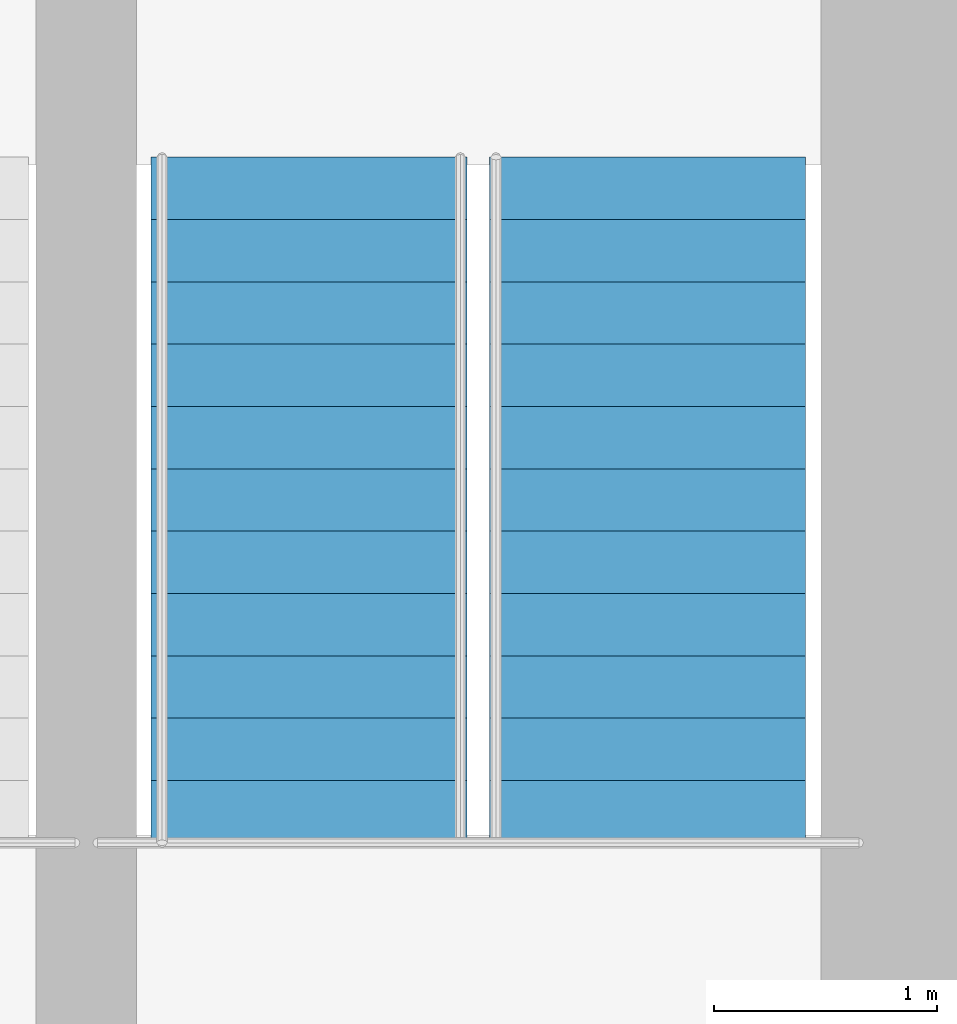
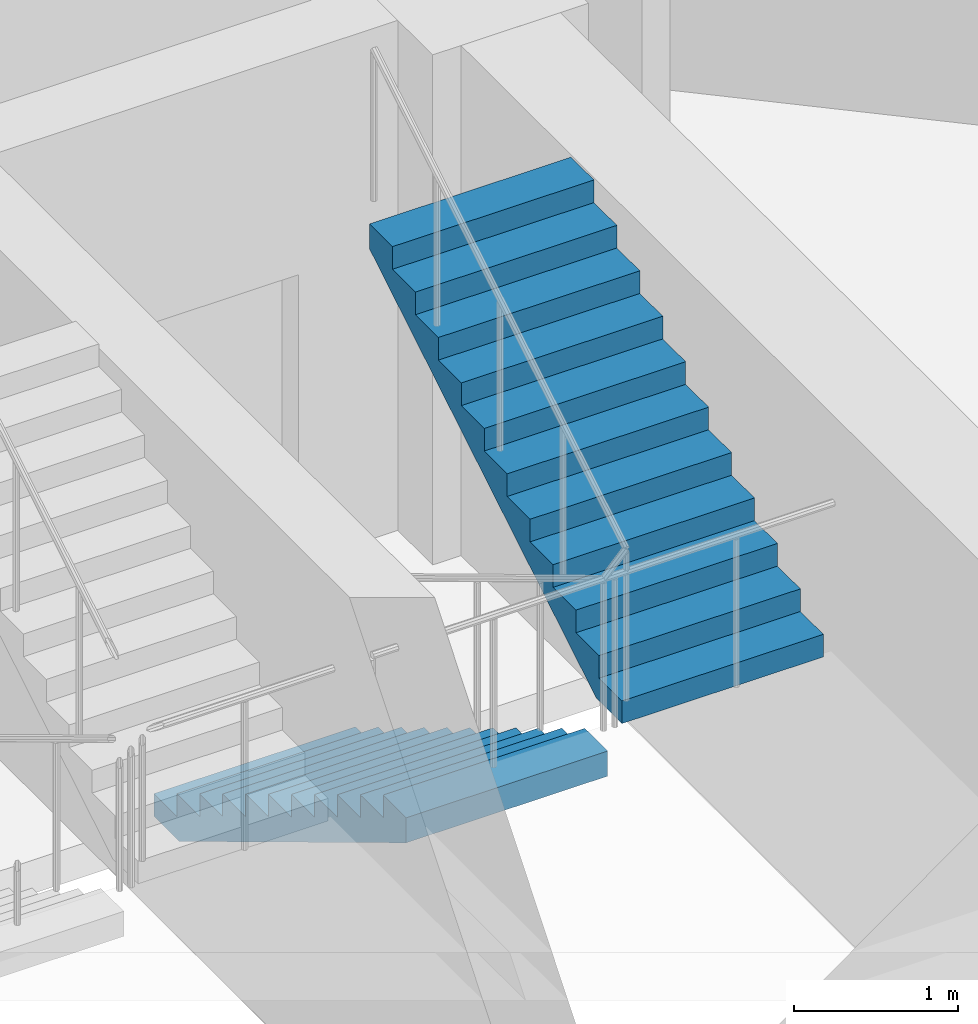
# One storey, part 25 of 26: 2 stair flights, 1 element without a shape of its own.
"""IFC4 building model written with IfcOpenShell, lengths in metres."""

from ifc_helpers import new_model, si_unit, direction, frame, origin, place, context, subcontext, project, spatial, polyline, outline, extrude, material, type_object, element, aggregate, save


model = new_model("IFC4")

# Units and contexts
model_context = context("Model", 3, precision=1e-05, world=origin(), true_north=direction((0.0, 1.0)))
body_context = subcontext(model_context, "Body", "Model", "MODEL_VIEW")
ifc_project = project(units=[si_unit("LENGTHUNIT", "METRE"), si_unit("AREAUNIT", "SQUARE_METRE"), si_unit("VOLUMEUNIT", "CUBIC_METRE"), si_unit("PLANEANGLEUNIT", "RADIAN"), si_unit("MASSUNIT", "GRAM", prefix="KILO")], contexts=[model_context])

# Site, building, storey
site_placement = place(None, origin())
site = spatial("IfcSite", under=ifc_project, at=site_placement, CompositionType="ELEMENT")
building_placement = place(site_placement, origin())
building = spatial("IfcBuilding", under=site, at=building_placement, Name="Nuhasar Tower", CompositionType="ELEMENT")
storey_placement = place(building_placement, frame((0.0, 0.0, 93.89990234375)))
storey = spatial("IfcBuildingStorey", under=building, at=storey_placement, Name="L22", CompositionType="ELEMENT", Elevation=93.89990234375)

# Stair, stair flights
ifc_material = material(Name="Concrete C45/55", Category="concrete")
stair_type = type_object("IfcStairType", Name="STR-ST-02-2F-24R-1688", PredefinedType="HALF_TURN_STAIR", material=ifc_material)
stair_placement = place(storey_placement, origin())
stair = element("IfcStair", 1, at=stair_placement, inside=storey, type_object=stair_type, Name="L22 Exit Stair ST-02", PredefinedType="HALF_TURN_STAIR")
stair_flight_type = type_object("IfcStairFlightType", Name="SFL-ST-02-12R-1688", PredefinedType="STRAIGHT", material=ifc_material)
stair_flight_1_placement = place(storey_placement, frame((41.64990234375, 35.284912109375, 0.0), z_axis=(0.0, 0.0, 1.0), x_axis=(0.0, -1.0, 0.0)))
stair_flight_1 = element("IfcStairFlight", 2, at=stair_flight_1_placement, type_object=stair_flight_type, Name="ST-02 flight 1", NumberOfRisers=12, NumberOfTreads=11, PredefinedType="STRAIGHT", RiserHeight=0.16875, TreadLength=0.28, context=body_context, shape_type="SweptSolid", body=[
    extrude(outline(polyline([(0.0, 0.0), (0.0, 0.168701171875), (0.280029296875, 0.168701171875), (0.280029296875, 0.33740234375), (0.56005859375, 0.33740234375), (0.56005859375, 0.50634765625), (0.840087890625, 0.50634765625), (0.840087890625, 0.675048828125), (1.1201171875, 0.675048828125), (1.1201171875, 0.84375), (1.39990234375, 0.84375), (1.39990234375, 1.012451171875), (1.679931640625, 1.012451171875), (1.679931640625, 1.18115234375), (1.9599609375, 1.18115234375), (1.9599609375, 1.35009765625), (2.239990234375, 1.35009765625), (2.239990234375, 1.518798828125), (2.52001953125, 1.518798828125), (2.52001953125, 1.6875), (2.800048828125, 1.6875), (2.800048828125, 1.856201171875), (3.080078125, 1.856201171875), (3.080078125, 2.02490234375), (3.080078125, 1.66943359375), (0.309814453125, 0.0), (0.0, 0.0)])), frame((0.0, 0.7099609375, 0.0), z_axis=(0.0, -1.0, 0.0), x_axis=(1.0, 0.0, 0.0)), (0.0, 0.0, 1.0), 1.419921875),
])
stair_flight_2_placement = place(storey_placement, frame((43.169921875, 32.205078125, 2.025146484375), z_axis=(0.0, 0.0, 1.0), x_axis=(0.0, 1.0, 0.0)))
stair_flight_2 = element("IfcStairFlight", 3, at=stair_flight_2_placement, type_object=stair_flight_type, Name="ST-02 flight 2", NumberOfRisers=12, NumberOfTreads=11, PredefinedType="STRAIGHT", RiserHeight=0.16875, TreadLength=0.28, context=body_context, shape_type="SweptSolid", body=[
    extrude(outline(polyline([(0.0, 0.0), (0.0, 0.168701171875), (0.280029296875, 0.168701171875), (0.280029296875, 0.33740234375), (0.56005859375, 0.33740234375), (0.56005859375, 0.50634765625), (0.840087890625, 0.50634765625), (0.840087890625, 0.675048828125), (1.1201171875, 0.675048828125), (1.1201171875, 0.84375), (1.39990234375, 0.84375), (1.39990234375, 1.012451171875), (1.679931640625, 1.012451171875), (1.679931640625, 1.18115234375), (1.9599609375, 1.18115234375), (1.9599609375, 1.35009765625), (2.239990234375, 1.35009765625), (2.239990234375, 1.518798828125), (2.52001953125, 1.518798828125), (2.52001953125, 1.6875), (2.800048828125, 1.6875), (2.800048828125, 1.856201171875), (3.080078125, 1.856201171875), (3.080078125, 2.02490234375), (3.080078125, 1.66943359375), (0.309814453125, 0.0), (0.0, 0.0)])), frame((0.0, 0.7099609375, 0.0), z_axis=(0.0, -1.0, 0.0), x_axis=(1.0, 0.0, 0.0)), (0.0, 0.0, 1.0), 1.419921875),
])
aggregate(stair, [stair_flight_1, stair_flight_2])

save(model, "model.ifc")
